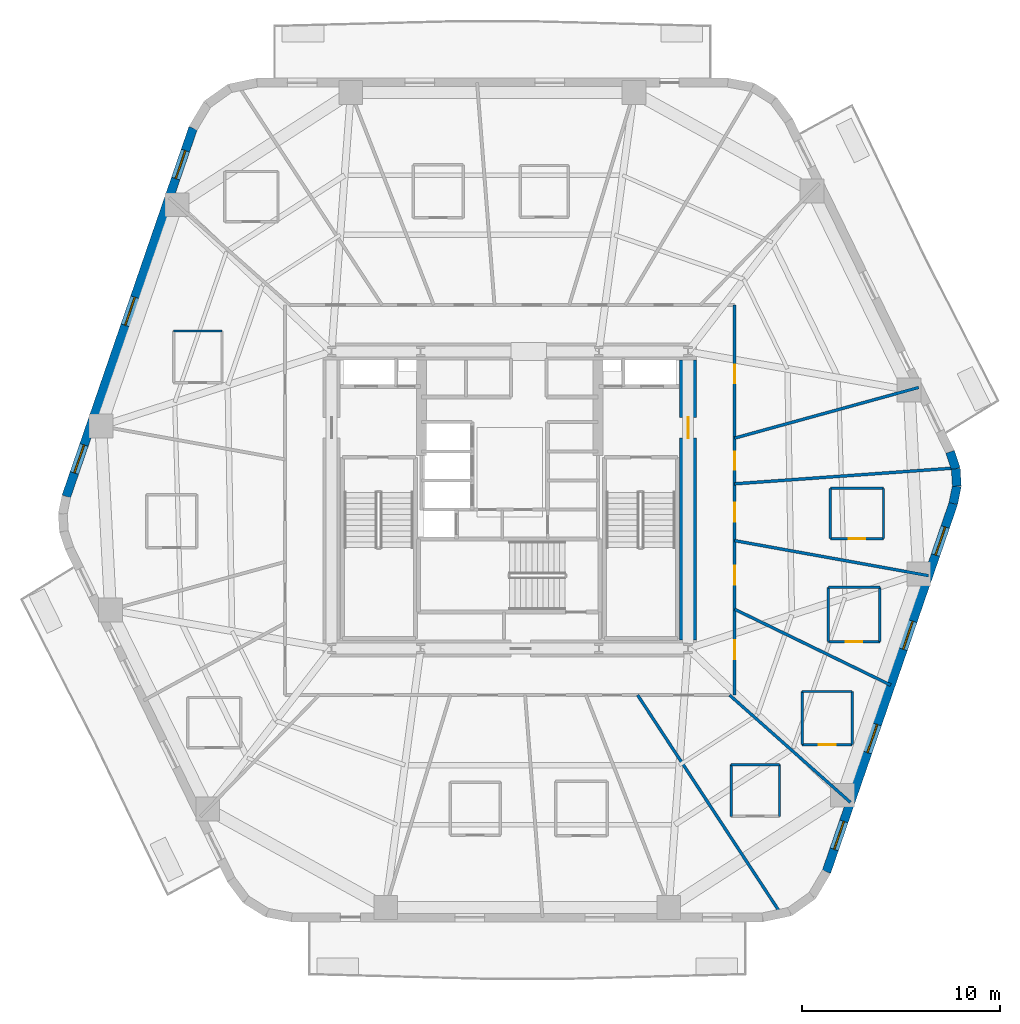
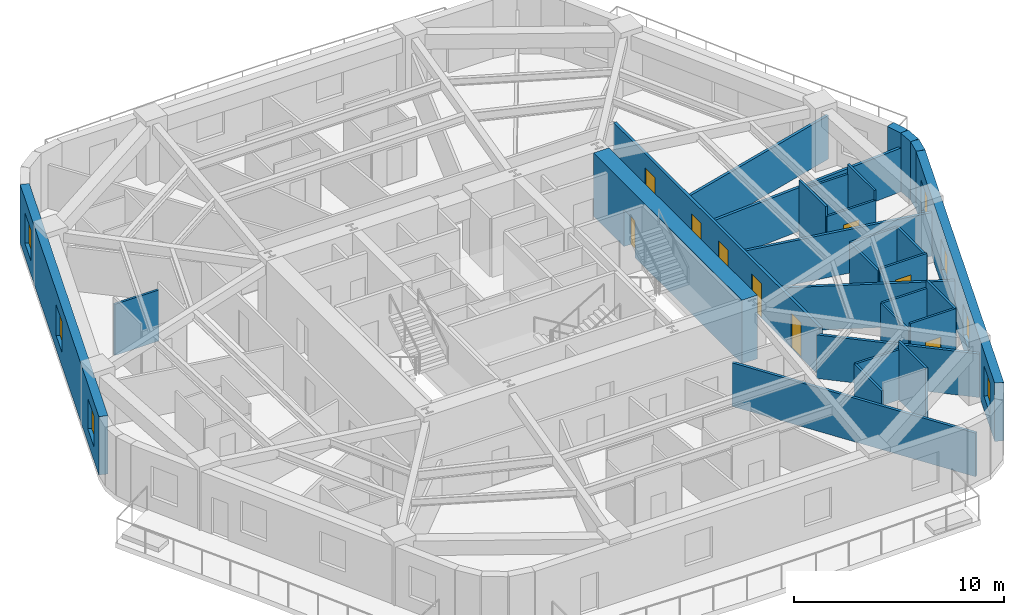
# One storey, part 5 of 10: 29 walls, 9 doors, 7 windows, 16 openings.
"""IFC4 building model written with IfcOpenShell, lengths in metres."""

from ifc_helpers import new_model, si_unit, direction, frame, frame_2d, origin, place, context, subcontext, project, spatial, rectangle, extrude, material, layer, layer_set, type_object, element, fill, save


model = new_model("IFC4")

# Units and contexts
model_context = context("Model", 3, precision=1e-05, world=origin(), true_north=direction((0.0, 1.0)))
body_context = subcontext(model_context, "Body", "Model", "MODEL_VIEW")
ifc_project = project(units=[si_unit("LENGTHUNIT", "METRE"), si_unit("AREAUNIT", "SQUARE_METRE"), si_unit("VOLUMEUNIT", "CUBIC_METRE"), si_unit("PLANEANGLEUNIT", "RADIAN"), si_unit("MASSUNIT", "GRAM", prefix="KILO")], contexts=[model_context])

# Site, building, storey
site_placement = place(None, origin())
site = spatial("IfcSite", under=ifc_project, at=site_placement, CompositionType="ELEMENT")
building_placement = place(site_placement, origin())
building = spatial("IfcBuilding", under=site, at=building_placement, Name="Kilnhurst Terrace Hotel", CompositionType="ELEMENT")
storey_placement = place(building_placement, frame((0.0, 0.0, 95.10009765625)))
storey = spatial("IfcBuildingStorey", under=building, at=storey_placement, Name="L22", CompositionType="ELEMENT", Elevation=95.10009765625)

# Walls
ifc_material_1 = material(Name="Precast concrete C40/50", Category="concrete")
ifc_layer_1 = layer(ifc_material_1, 0.449951171875, Name="Precast concrete C40/50")
ifc_layer_set_1 = layer_set([ifc_layer_1], Name="Precast concrete C40/50")
wall_type_1 = type_object("IfcWallType", Name="WL-BRK-450", PredefinedType="SOLIDWALL", material=ifc_layer_set_1)
wall_1_placement = place(storey_placement, frame((22.39697265625, -0.17919921875, 0.0), z_axis=(0.0, 0.0, 1.0), x_axis=(0.199313589404, 0.979935759669, 0.0)))
element("IfcWall", 1, at=wall_1_placement, inside=storey, type_object=wall_type_1, Name="L22 Rounded Corner Brick Wall C3.1", PredefinedType="SOLIDWALL", context=body_context, shape_type="SweptSolid", body=[
    extrude(rectangle(XDim=0.8955078125, YDim=0.449951171875, at=frame_2d((0.44775390625, 0.0))), origin(), (0.0, 0.0, 1.0), 3.39990234375),
])
wall_2_placement = place(storey_placement, frame((22.575439453125, 0.6982421875, 0.0), z_axis=(0.0, 0.0, 1.0), x_axis=(-0.060980441946, 0.998138961117, 0.0)))
element("IfcWall", 2, at=wall_2_placement, inside=storey, type_object=wall_type_1, Name="L22 Rounded Corner Brick Wall C3.2", PredefinedType="SOLIDWALL", context=body_context, shape_type="SweptSolid", body=[
    extrude(rectangle(XDim=0.880859375, YDim=0.449951171875, at=frame_2d((0.4404296875, 0.0))), origin(), (0.0, 0.0, 1.0), 3.39990234375),
])
wall_3_placement = place(storey_placement, frame((22.521728515625, 1.577392578125, 0.0), z_axis=(0.0, 0.0, 1.0), x_axis=(-0.317372694837, 0.948300887151, 0.0)))
element("IfcWall", 3, at=wall_3_placement, inside=storey, type_object=wall_type_1, Name="L22 Rounded Corner Brick Wall C3.3", PredefinedType="SOLIDWALL", context=body_context, shape_type="SweptSolid", body=[
    extrude(rectangle(XDim=0.8955078125, YDim=0.449951171875, at=frame_2d((0.44775390625, 0.0))), origin(), (0.0, 0.0, 1.0), 3.39990234375),
])

# Wall, openings, windows
wall_4_placement = place(storey_placement, frame((15.992431640625, -18.77685546875, 0.0), z_axis=(0.0, 0.0, 1.0), x_axis=(0.325606988926, 0.945505202927, 0.0)))
wall_4 = element("IfcWall", 4, at=wall_4_placement, inside=storey, type_object=wall_type_1, Name="L22 Exterior Brick Facade Wall F2", PredefinedType="SOLIDWALL", context=body_context, shape_type="SweptSolid", body=[
    extrude(rectangle(XDim=19.66943359375, YDim=0.449951171875, at=frame_2d((9.834716796875, 0.0))), origin(), (0.0, 0.0, 1.0), 3.39990234375),
])
opening_1_placement = place(wall_4_placement, frame((1.197021484375, 0.0, 0.800048828125)))
opening_1 = element("IfcOpeningElement", 5, at=opening_1_placement, cuts=wall_4, Name="Opening W-02", PredefinedType="OPENING", context=body_context, shape_type="SweptSolid", body=[
    extrude(rectangle(XDim=1.5, YDim=1.800048828125, at=frame_2d((0.75, 0.89990234375))), frame((0.0, 0.23486328125, 0.0), z_axis=(0.0, -1.0, 0.0), x_axis=(1.0, 0.0, 0.0)), (0.0, 0.0, 1.0), 0.469970703125),
])
opening_2_placement = place(wall_4_placement, frame((6.367919921875, 0.0, 0.800048828125)))
opening_2 = element("IfcOpeningElement", 6, at=opening_2_placement, cuts=wall_4, Name="Opening W-02", PredefinedType="OPENING", context=body_context, shape_type="SweptSolid", body=[
    extrude(rectangle(XDim=1.5, YDim=1.800048828125, at=frame_2d((0.75, 0.89990234375))), frame((0.0, 0.23486328125, 0.0), z_axis=(0.0, -1.0, 0.0), x_axis=(1.0, 0.0, 0.0)), (0.0, 0.0, 1.0), 0.469970703125),
])
opening_3_placement = place(wall_4_placement, frame((11.885009765625, 0.0, 0.800048828125)))
opening_3 = element("IfcOpeningElement", 7, at=opening_3_placement, cuts=wall_4, Name="Opening W-02", PredefinedType="OPENING", context=body_context, shape_type="SweptSolid", body=[
    extrude(rectangle(XDim=1.5, YDim=1.800048828125, at=frame_2d((0.75, 0.89990234375))), frame((0.0, 0.23486328125, 0.0), z_axis=(0.0, -1.0, 0.0), x_axis=(1.0, 0.0, 0.0)), (0.0, 0.0, 1.0), 0.469970703125),
])
opening_4_placement = place(wall_4_placement, frame((16.91796875, 0.0, 0.800048828125)))
opening_4 = element("IfcOpeningElement", 8, at=opening_4_placement, cuts=wall_4, Name="Opening W-02", PredefinedType="OPENING", context=body_context, shape_type="SweptSolid", body=[
    extrude(rectangle(XDim=1.5, YDim=1.800048828125, at=frame_2d((0.75, 0.89990234375))), frame((0.0, 0.23486328125, 0.0), z_axis=(0.0, -1.0, 0.0), x_axis=(1.0, 0.0, 0.0)), (0.0, 0.0, 1.0), 0.469970703125),
])
ifc_material_2 = material(Name="Thermally Broken Bronze Aluminium Alloy 6063-T6 and Low-E Glass", Category="aluminium")
window_type = type_object("IfcWindowType", Name="WIN-1500X1800", PartitioningType="SINGLE_PANEL", PredefinedType="WINDOW", material=ifc_material_2)
window_1_placement = place(opening_1_placement, origin())
window_1 = element("IfcWindow", 9, at=window_1_placement, inside=storey, type_object=window_type, Name="L22 Deep-Set Masonry Window F2.1", OverallHeight=1.800048828125, OverallWidth=1.5, PartitioningType="SINGLE_PANEL", PredefinedType="WINDOW", context=body_context, shape_type="SweptSolid", body=[
    extrude(rectangle(XDim=1.5, YDim=1.800048828125, at=frame_2d((0.75, 0.89990234375))), frame((0.0, 0.030029296875, 0.0), z_axis=(0.0, -1.0, 0.0), x_axis=(1.0, 0.0, 0.0)), (0.0, 0.0, 1.0), 0.06005859375),
])
fill(opening_1, window_1)
window_2_placement = place(opening_2_placement, origin())
window_2 = element("IfcWindow", 10, at=window_2_placement, inside=storey, type_object=window_type, Name="L22 Deep-Set Masonry Window F2.2", OverallHeight=1.800048828125, OverallWidth=1.5, PartitioningType="SINGLE_PANEL", PredefinedType="WINDOW", context=body_context, shape_type="SweptSolid", body=[
    extrude(rectangle(XDim=1.5, YDim=1.800048828125, at=frame_2d((0.75, 0.89990234375))), frame((0.0, 0.030029296875, 0.0), z_axis=(0.0, -1.0, 0.0), x_axis=(1.0, 0.0, 0.0)), (0.0, 0.0, 1.0), 0.06005859375),
])
fill(opening_2, window_2)
window_3_placement = place(opening_3_placement, origin())
window_3 = element("IfcWindow", 11, at=window_3_placement, inside=storey, type_object=window_type, Name="L22 Deep-Set Masonry Window F2.3", OverallHeight=1.800048828125, OverallWidth=1.5, PartitioningType="SINGLE_PANEL", PredefinedType="WINDOW", context=body_context, shape_type="SweptSolid", body=[
    extrude(rectangle(XDim=1.5, YDim=1.800048828125, at=frame_2d((0.75, 0.89990234375))), frame((0.0, 0.030029296875, 0.0), z_axis=(0.0, -1.0, 0.0), x_axis=(1.0, 0.0, 0.0)), (0.0, 0.0, 1.0), 0.06005859375),
])
fill(opening_3, window_3)
window_4_placement = place(opening_4_placement, origin())
window_4 = element("IfcWindow", 12, at=window_4_placement, inside=storey, type_object=window_type, Name="L22 Deep-Set Masonry Window F2.4", OverallHeight=1.800048828125, OverallWidth=1.5, PartitioningType="SINGLE_PANEL", PredefinedType="WINDOW", context=body_context, shape_type="SweptSolid", body=[
    extrude(rectangle(XDim=1.5, YDim=1.800048828125, at=frame_2d((0.75, 0.89990234375))), frame((0.0, 0.030029296875, 0.0), z_axis=(0.0, -1.0, 0.0), x_axis=(1.0, 0.0, 0.0)), (0.0, 0.0, 1.0), 0.06005859375),
])
fill(opening_4, window_4)

wall_5_placement = place(storey_placement, frame((-15.992431640625, 18.77685546875, 0.0), z_axis=(0.0, 0.0, 1.0), x_axis=(-0.325606988926, -0.945505202927, 0.0)))
wall_5 = element("IfcWall", 13, at=wall_5_placement, inside=storey, type_object=wall_type_1, Name="L22 Exterior Brick Facade Wall F5", PredefinedType="SOLIDWALL", context=body_context, shape_type="SweptSolid", body=[
    extrude(rectangle(XDim=19.66943359375, YDim=0.449951171875, at=frame_2d((9.834716796875, 0.0))), origin(), (0.0, 0.0, 1.0), 3.39990234375),
])
opening_5_placement = place(wall_5_placement, frame((1.197021484375, 0.0, 0.800048828125)))
opening_5 = element("IfcOpeningElement", 14, at=opening_5_placement, cuts=wall_5, Name="Opening W-02", PredefinedType="OPENING", context=body_context, shape_type="SweptSolid", body=[
    extrude(rectangle(XDim=1.5, YDim=1.800048828125, at=frame_2d((0.75, 0.89990234375))), frame((0.0, 0.23486328125, 0.0), z_axis=(0.0, -1.0, 0.0), x_axis=(1.0, 0.0, 0.0)), (0.0, 0.0, 1.0), 0.469970703125),
])
opening_6_placement = place(wall_5_placement, frame((9.030029296875, 0.0, 0.800048828125)))
opening_6 = element("IfcOpeningElement", 15, at=opening_6_placement, cuts=wall_5, Name="Opening W-02", PredefinedType="OPENING", context=body_context, shape_type="SweptSolid", body=[
    extrude(rectangle(XDim=1.5, YDim=1.800048828125, at=frame_2d((0.75, 0.89990234375))), frame((0.0, 0.23486328125, 0.0), z_axis=(0.0, -1.0, 0.0), x_axis=(1.0, 0.0, 0.0)), (0.0, 0.0, 1.0), 0.469970703125),
])
opening_7_placement = place(wall_5_placement, frame((16.91796875, 0.0, 0.800048828125)))
opening_7 = element("IfcOpeningElement", 16, at=opening_7_placement, cuts=wall_5, Name="Opening W-02", PredefinedType="OPENING", context=body_context, shape_type="SweptSolid", body=[
    extrude(rectangle(XDim=1.5, YDim=1.800048828125, at=frame_2d((0.75, 0.89990234375))), frame((0.0, 0.23486328125, 0.0), z_axis=(0.0, -1.0, 0.0), x_axis=(1.0, 0.0, 0.0)), (0.0, 0.0, 1.0), 0.469970703125),
])
window_5_placement = place(opening_5_placement, origin())
window_5 = element("IfcWindow", 17, at=window_5_placement, inside=storey, type_object=window_type, Name="L22 Deep-Set Masonry Window F5.1", OverallHeight=1.800048828125, OverallWidth=1.5, PartitioningType="SINGLE_PANEL", PredefinedType="WINDOW", context=body_context, shape_type="SweptSolid", body=[
    extrude(rectangle(XDim=1.5, YDim=1.800048828125, at=frame_2d((0.75, 0.89990234375))), frame((0.0, 0.030029296875, 0.0), z_axis=(0.0, -1.0, 0.0), x_axis=(1.0, 0.0, 0.0)), (0.0, 0.0, 1.0), 0.06005859375),
])
fill(opening_5, window_5)
window_6_placement = place(opening_6_placement, origin())
window_6 = element("IfcWindow", 18, at=window_6_placement, inside=storey, type_object=window_type, Name="L22 Deep-Set Masonry Window F5.2", OverallHeight=1.800048828125, OverallWidth=1.5, PartitioningType="SINGLE_PANEL", PredefinedType="WINDOW", context=body_context, shape_type="SweptSolid", body=[
    extrude(rectangle(XDim=1.5, YDim=1.800048828125, at=frame_2d((0.75, 0.89990234375))), frame((0.0, 0.030029296875, 0.0), z_axis=(0.0, -1.0, 0.0), x_axis=(1.0, 0.0, 0.0)), (0.0, 0.0, 1.0), 0.06005859375),
])
fill(opening_6, window_6)
window_7_placement = place(opening_7_placement, origin())
window_7 = element("IfcWindow", 19, at=window_7_placement, inside=storey, type_object=window_type, Name="L22 Deep-Set Masonry Window F5.3", OverallHeight=1.800048828125, OverallWidth=1.5, PartitioningType="SINGLE_PANEL", PredefinedType="WINDOW", context=body_context, shape_type="SweptSolid", body=[
    extrude(rectangle(XDim=1.5, YDim=1.800048828125, at=frame_2d((0.75, 0.89990234375))), frame((0.0, 0.030029296875, 0.0), z_axis=(0.0, -1.0, 0.0), x_axis=(1.0, 0.0, 0.0)), (0.0, 0.0, 1.0), 0.06005859375),
])
fill(opening_7, window_7)

# Wall, openings, doors
ifc_material_3 = material(Name="Acoustic Double-Gypsum Corridor Partition Assembly")
ifc_layer_2 = layer(ifc_material_3, 0.14990234375, Name="Acoustic Double-Gypsum Corridor Partition Assembly")
ifc_layer_set_2 = layer_set([ifc_layer_2], Name="Acoustic Double-Gypsum Corridor Partition Assembly")
wall_type_2 = type_object("IfcWallType", Name="WL-COR-150", PredefinedType="PARTITIONING", material=ifc_layer_set_2)
wall_6_placement = place(storey_placement, frame((11.35009765625, 9.85009765625, 0.0), z_axis=(0.0, 0.0, 1.0), x_axis=(0.0, -1.0, 0.0)))
wall_6 = element("IfcWall", 20, at=wall_6_placement, inside=storey, type_object=wall_type_2, Name="L22 Interior Wall WL-L22-COR-03", PredefinedType="PARTITIONING", context=body_context, shape_type="SweptSolid", body=[
    extrude(rectangle(XDim=19.7001953125, YDim=0.14990234375, at=frame_2d((9.85009765625, 0.0))), origin(), (0.0, 0.0, 1.0), 2.83984375),
])
opening_8_placement = place(wall_6_placement, frame((7.426025390625, 0.0, 0.0)))
opening_8 = element("IfcOpeningElement", 21, at=opening_8_placement, cuts=wall_6, Name="Opening D-60C", PredefinedType="OPENING", context=body_context, shape_type="SweptSolid", body=[
    extrude(rectangle(XDim=0.89990234375, YDim=2.030029296875, at=frame_2d((0.449951171875, 1.01513671875))), frame((0.0, 0.0849609375, 0.0), z_axis=(0.0, -1.0, 0.0), x_axis=(1.0, 0.0, 0.0)), (0.0, 0.0, 1.0), 0.169921875),
])
opening_9_placement = place(wall_6_placement, frame((3.008056640625, 0.0, 0.0)))
opening_9 = element("IfcOpeningElement", 22, at=opening_9_placement, cuts=wall_6, Name="Opening D-60B", PredefinedType="OPENING", context=body_context, shape_type="SweptSolid", body=[
    extrude(rectangle(XDim=0.949951171875, YDim=2.030029296875, at=frame_2d((0.47509765625, 1.01513671875))), frame((0.0, 0.0849609375, 0.0), z_axis=(0.0, -1.0, 0.0), x_axis=(1.0, 0.0, 0.0)), (0.0, 0.0, 1.0), 0.169921875),
])
opening_10_placement = place(wall_6_placement, frame((16.93798828125, 0.0, 0.0)))
opening_10 = element("IfcOpeningElement", 23, at=opening_10_placement, cuts=wall_6, Name="Opening D-60B", PredefinedType="OPENING", context=body_context, shape_type="SweptSolid", body=[
    extrude(rectangle(XDim=0.949951171875, YDim=2.030029296875, at=frame_2d((0.47509765625, 1.01513671875))), frame((0.0, 0.0849609375, 0.0), z_axis=(0.0, -1.0, 0.0), x_axis=(1.0, 0.0, 0.0)), (0.0, 0.0, 1.0), 0.169921875),
])
opening_11_placement = place(wall_6_placement, frame((13.1708984375, 0.0, 0.0)))
opening_11 = element("IfcOpeningElement", 24, at=opening_11_placement, cuts=wall_6, Name="Opening D-60B", PredefinedType="OPENING", context=body_context, shape_type="SweptSolid", body=[
    extrude(rectangle(XDim=0.949951171875, YDim=2.030029296875, at=frame_2d((0.47509765625, 1.01513671875))), frame((0.0, 0.0849609375, 0.0), z_axis=(0.0, -1.0, 0.0), x_axis=(1.0, 0.0, 0.0)), (0.0, 0.0, 1.0), 0.169921875),
])
opening_12_placement = place(wall_6_placement, frame((9.993896484375, 0.0, 0.0)))
opening_12 = element("IfcOpeningElement", 25, at=opening_12_placement, cuts=wall_6, Name="Opening D-60B", PredefinedType="OPENING", context=body_context, shape_type="SweptSolid", body=[
    extrude(rectangle(XDim=0.949951171875, YDim=2.030029296875, at=frame_2d((0.47509765625, 1.01513671875))), frame((0.0, 0.0849609375, 0.0), z_axis=(0.0, -1.0, 0.0), x_axis=(1.0, 0.0, 0.0)), (0.0, 0.0, 1.0), 0.169921875),
])
ifc_material_4 = material(Name="Painted Solid-Core Service Fire Door")
door_type_1 = type_object("IfcDoorType", Name="DR-FD60-900", OperationType="NOTDEFINED", PredefinedType="DOOR", material=ifc_material_4)
door_1_placement = place(opening_8_placement, origin())
door_1 = element("IfcDoor", 26, at=door_1_placement, inside=storey, type_object=door_type_1, Name="L22 Private Study Salon Door 1", OperationType="SINGLE_SWING_LEFT", OverallHeight=2.030029296875, OverallWidth=0.89990234375, PredefinedType="DOOR", context=body_context, shape_type="SweptSolid", body=[
    extrude(rectangle(XDim=0.89990234375, YDim=2.030029296875, at=frame_2d((0.449951171875, 1.01513671875))), frame((0.0, 0.02490234375, 0.0), z_axis=(0.0, -1.0, 0.0), x_axis=(1.0, 0.0, 0.0)), (0.0, 0.0, 1.0), 0.050048828125),
])
fill(opening_8, door_1)
ifc_material_5 = material(Name="Acoustic Walnut Veneer Solid-Core Fire Door")
door_type_2 = type_object("IfcDoorType", Name="DR-FD60-950", OperationType="NOTDEFINED", PredefinedType="DOOR", material=ifc_material_5)
door_2_placement = place(opening_9_placement, origin())
door_2 = element("IfcDoor", 27, at=door_2_placement, inside=storey, type_object=door_type_2, Name="L22 Botanical Salon Lounge Door", OperationType="SINGLE_SWING_RIGHT", OverallHeight=2.030029296875, OverallWidth=0.949951171875, PredefinedType="DOOR", context=body_context, shape_type="SweptSolid", body=[
    extrude(rectangle(XDim=0.949951171875, YDim=2.030029296875, at=frame_2d((0.47509765625, 1.01513671875))), frame((0.0, 0.02490234375, 0.0), z_axis=(0.0, -1.0, 0.0), x_axis=(1.0, 0.0, 0.0)), (0.0, 0.0, 1.0), 0.050048828125),
])
fill(opening_9, door_2)
door_3_placement = place(opening_10_placement, origin())
door_3 = element("IfcDoor", 28, at=door_3_placement, inside=storey, type_object=door_type_2, Name="L22 Guest Room Entry Door 18", OperationType="SINGLE_SWING_RIGHT", OverallHeight=2.030029296875, OverallWidth=0.949951171875, PredefinedType="DOOR", context=body_context, shape_type="SweptSolid", body=[
    extrude(rectangle(XDim=0.949951171875, YDim=2.030029296875, at=frame_2d((0.47509765625, 1.01513671875))), frame((0.0, 0.02490234375, 0.0), z_axis=(0.0, -1.0, 0.0), x_axis=(1.0, 0.0, 0.0)), (0.0, 0.0, 1.0), 0.050048828125),
])
fill(opening_10, door_3)
door_4_placement = place(opening_11_placement, origin())
door_4 = element("IfcDoor", 29, at=door_4_placement, inside=storey, type_object=door_type_2, Name="L22 Guest Room Entry Door 19", OperationType="SINGLE_SWING_LEFT", OverallHeight=2.030029296875, OverallWidth=0.949951171875, PredefinedType="DOOR", context=body_context, shape_type="SweptSolid", body=[
    extrude(rectangle(XDim=0.949951171875, YDim=2.030029296875, at=frame_2d((0.47509765625, 1.01513671875))), frame((0.0, 0.02490234375, 0.0), z_axis=(0.0, -1.0, 0.0), x_axis=(1.0, 0.0, 0.0)), (0.0, 0.0, 1.0), 0.050048828125),
])
fill(opening_11, door_4)
door_5_placement = place(opening_12_placement, origin())
door_5 = element("IfcDoor", 30, at=door_5_placement, inside=storey, type_object=door_type_2, Name="L22 Guest Room Entry Door 20", OperationType="SINGLE_SWING_RIGHT", OverallHeight=2.030029296875, OverallWidth=0.949951171875, PredefinedType="DOOR", context=body_context, shape_type="SweptSolid", body=[
    extrude(rectangle(XDim=0.949951171875, YDim=2.030029296875, at=frame_2d((0.47509765625, 1.01513671875))), frame((0.0, 0.02490234375, 0.0), z_axis=(0.0, -1.0, 0.0), x_axis=(1.0, 0.0, 0.0)), (0.0, 0.0, 1.0), 0.050048828125),
])
fill(opening_12, door_5)

# Wall, opening, door
ifc_material_6 = material(Name="Concrete C80/95", Category="concrete")
ifc_layer_3 = layer(ifc_material_6, 0.85009765625, Name="Concrete C80/95")
ifc_layer_set_3 = layer_set([ifc_layer_3], Name="Concrete C80/95")
wall_type_3 = type_object("IfcWallType", Name="WL-CORE-850", PredefinedType="SHEAR", material=ifc_layer_set_3)
wall_7_placement = place(storey_placement, frame((9.0, -7.074951171875, 0.0), z_axis=(0.0, 0.0, 1.0), x_axis=(0.0, 1.0, 0.0)))
wall_7 = element("IfcWall", 31, at=wall_7_placement, inside=storey, type_object=wall_type_3, Name="L22 Core East Shear Wall", PredefinedType="SHEAR", context=body_context, shape_type="SweptSolid", body=[
    extrude(rectangle(XDim=14.14990234375, YDim=0.85009765625, at=frame_2d((7.074951171875, 0.0))), origin(), (0.0, 0.0, 1.0), 3.699951171875),
])
opening_13_placement = place(wall_7_placement, frame((10.199951171875, 0.0, 0.0)))
opening_13 = element("IfcOpeningElement", 32, at=opening_13_placement, cuts=wall_7, Name="Opening D-90A", PredefinedType="OPENING", context=body_context, shape_type="SweptSolid", body=[
    extrude(rectangle(XDim=1.050048828125, YDim=2.14990234375, at=frame_2d((0.52490234375, 1.074951171875))), frame((0.0, 0.43505859375, 0.0), z_axis=(0.0, -1.0, 0.0), x_axis=(1.0, 0.0, 0.0)), (0.0, 0.0, 1.0), 0.8701171875),
])
ifc_material_7 = material(Name="Painted Hollow Metal Steel ASTM A36 Fire Door", Category="steel")
door_type_3 = type_object("IfcDoorType", Name="DR-FD90-1050", OperationType="NOTDEFINED", PredefinedType="DOOR", material=ifc_material_7)
door_6_placement = place(opening_13_placement, origin())
door_6 = element("IfcDoor", 33, at=door_6_placement, inside=storey, type_object=door_type_3, Name="L22 East Firefighting Lobby Door", OperationType="SINGLE_SWING_LEFT", OverallHeight=2.14990234375, OverallWidth=1.050048828125, PredefinedType="DOOR", context=body_context, shape_type="SweptSolid", body=[
    extrude(rectangle(XDim=1.050048828125, YDim=2.14990234375, at=frame_2d((0.52490234375, 1.074951171875))), frame((0.0, 0.02490234375, 0.0), z_axis=(0.0, -1.0, 0.0), x_axis=(1.0, 0.0, 0.0)), (0.0, 0.0, 1.0), 0.050048828125),
])
fill(opening_13, door_6)

# Walls
ifc_material_8 = material(Name="STC-58 Acoustic Twin-Frame Guestroom Demising Partition")
ifc_layer_4 = layer(ifc_material_8, 0.14990234375, Name="STC-58 Acoustic Twin-Frame Guestroom Demising Partition")
ifc_layer_set_4 = layer_set([ifc_layer_4], Name="STC-58 Acoustic Twin-Frame Guestroom Demising Partition")
wall_type_4 = type_object("IfcWallType", Name="WL-DEM-150", PredefinedType="PARTITIONING", material=ifc_layer_set_4)
wall_8_placement = place(storey_placement, frame((11.35009765625, 0.815673828125, 0.0), z_axis=(0.0, 0.0, 1.0), x_axis=(0.997427684746, 0.071679939324, 0.0)))
element("IfcWall", 34, at=wall_8_placement, inside=storey, type_object=wall_type_4, Name="L22 Interior Wall WL-L22-DEM-MID12-01-1", PredefinedType="PARTITIONING", context=body_context, shape_type="SweptSolid", body=[
    extrude(rectangle(XDim=11.021728515625, YDim=0.14990234375, at=frame_2d((5.5107421875, 0.0))), origin(), (0.0, 0.0, 1.0), 2.539794921875),
])
wall_9_placement = place(storey_placement, frame((11.35009765625, 3.123291015625, 0.0), z_axis=(0.0, 0.0, 1.0), x_axis=(0.964151983214, 0.265350623261, 0.0)))
element("IfcWall", 35, at=wall_9_placement, inside=storey, type_object=wall_type_4, Name="L22 Interior Wall WL-L22-DEM-COL01-02-1", PredefinedType="PARTITIONING", context=body_context, shape_type="SweptSolid", body=[
    extrude(rectangle(XDim=9.64501953125, YDim=0.14990234375, at=frame_2d((4.822509765625, 0.0))), origin(), (0.0, 0.0, 1.0), 2.539794921875),
])
wall_10_placement = place(storey_placement, frame((6.453857421875, -9.85009765625, 0.0), z_axis=(0.0, 0.0, 1.0), x_axis=(0.548052950111, -0.836443640584, 0.0)))
element("IfcWall", 36, at=wall_10_placement, inside=storey, type_object=wall_type_4, Name="L22 Interior Wall WL-L22-DEM-MID10-17-1", PredefinedType="PARTITIONING", context=body_context, shape_type="SweptSolid", body=[
    extrude(rectangle(XDim=13.019287109375, YDim=0.14990234375, at=frame_2d((6.509765625, 0.0))), origin(), (0.0, 0.0, 1.0), 2.539794921875),
])
wall_11_placement = place(storey_placement, frame((11.097900390625, -9.85009765625, 0.0), z_axis=(0.0, 0.0, 1.0), x_axis=(0.747904295103, -0.663806572253, 0.0)))
element("IfcWall", 37, at=wall_11_placement, inside=storey, type_object=wall_type_4, Name="L22 Interior Wall WL-L22-DEM-COL11-18-1", PredefinedType="PARTITIONING", context=body_context, shape_type="SweptSolid", body=[
    extrude(rectangle(XDim=8.160400390625, YDim=0.14990234375, at=frame_2d((4.080078125, 0.0))), origin(), (0.0, 0.0, 1.0), 2.539794921875),
])
wall_12_placement = place(storey_placement, frame((11.35009765625, -5.51513671875, 0.0), z_axis=(0.0, 0.0, 1.0), x_axis=(0.899424695618, -0.437075756492, 0.0)))
element("IfcWall", 38, at=wall_12_placement, inside=storey, type_object=wall_type_4, Name="L22 Interior Wall WL-L22-DEM-MID11-19-1", PredefinedType="PARTITIONING", context=body_context, shape_type="SweptSolid", body=[
    extrude(rectangle(XDim=8.771240234375, YDim=0.14990234375, at=frame_2d((4.3857421875, 0.0))), origin(), (0.0, 0.0, 1.0), 2.539794921875),
])
wall_13_placement = place(storey_placement, frame((11.35009765625, -2.05078125, 0.0), z_axis=(0.0, 0.0, 1.0), x_axis=(0.984068313063, -0.177790762484, 0.0)))
element("IfcWall", 39, at=wall_13_placement, inside=storey, type_object=wall_type_4, Name="L22 Interior Wall WL-L22-DEM-COL12-20-1", PredefinedType="PARTITIONING", context=body_context, shape_type="SweptSolid", body=[
    extrude(rectangle(XDim=9.951416015625, YDim=0.14990234375, at=frame_2d((4.9755859375, 0.0))), origin(), (0.0, 0.0, 1.0), 2.539794921875),
])
ifc_material_9 = material(Name="120 mm Moisture-Resistant Tile-Backed Bathroom Partition")
ifc_layer_5 = layer(ifc_material_9, 0.1201171875, Name="120 mm Moisture-Resistant Tile-Backed Bathroom Partition")
ifc_layer_set_5 = layer_set([ifc_layer_5], Name="120 mm Moisture-Resistant Tile-Backed Bathroom Partition")
wall_type_5 = type_object("IfcWallType", Name="WL-PART-120", PredefinedType="PARTITIONING", material=ifc_layer_set_5)
wall_14_placement = place(storey_placement, frame((-14.533935546875, 8.534912109375, 0.0), z_axis=(0.0, 0.0, 1.0), x_axis=(-1.0, 0.0, 0.0)))
element("IfcWall", 40, at=wall_14_placement, inside=storey, type_object=wall_type_5, Name="L22 Interior Wall WL-L22-BTH-09-3", PredefinedType="PARTITIONING", context=body_context, shape_type="SweptSolid", body=[
    extrude(rectangle(XDim=2.440185546875, YDim=0.1201171875, at=frame_2d((1.22021484375, 0.0))), origin(), (0.0, 0.0, 1.0), 2.97216796875),
])
wall_15_placement = place(storey_placement, frame((13.617919921875, -15.97412109375, 0.0), z_axis=(0.0, 0.0, 1.0), x_axis=(0.0, 1.0, 0.0)))
element("IfcWall", 41, at=wall_15_placement, inside=storey, type_object=wall_type_5, Name="L22 Interior Wall WL-L22-BTH-17-2", PredefinedType="PARTITIONING", context=body_context, shape_type="SweptSolid", body=[
    extrude(rectangle(XDim=2.610107421875, YDim=0.1201171875, at=frame_2d((1.30517578125, 0.0))), origin(), (0.0, 0.0, 1.0), 3.39990234375),
])
wall_16_placement = place(storey_placement, frame((13.617919921875, -13.364013671875, 0.0), z_axis=(0.0, 0.0, 1.0), x_axis=(-1.0, 0.0, 0.0)))
element("IfcWall", 42, at=wall_16_placement, inside=storey, type_object=wall_type_5, Name="L22 Interior Wall WL-L22-BTH-17-3", PredefinedType="PARTITIONING", context=body_context, shape_type="SweptSolid", body=[
    extrude(rectangle(XDim=2.43994140625, YDim=0.1201171875, at=frame_2d((1.219970703125, 0.0))), origin(), (0.0, 0.0, 1.0), 2.926513671875),
])
wall_17_placement = place(storey_placement, frame((11.177978515625, -13.364013671875, 0.0), z_axis=(0.0, 0.0, 1.0), x_axis=(0.0, -1.0, 0.0)))
element("IfcWall", 43, at=wall_17_placement, inside=storey, type_object=wall_type_5, Name="L22 Interior Wall WL-L22-BTH-17-4", PredefinedType="PARTITIONING", context=body_context, shape_type="SweptSolid", body=[
    extrude(rectangle(XDim=2.610107421875, YDim=0.1201171875, at=frame_2d((1.30517578125, 0.0))), origin(), (0.0, 0.0, 1.0), 2.926513671875),
])

# Wall, opening, door
wall_18_placement = place(storey_placement, frame((14.76708984375, -12.35205078125, 0.0), z_axis=(0.0, 0.0, 1.0), x_axis=(1.0, 0.0, 0.0)))
wall_18 = element("IfcWall", 44, at=wall_18_placement, inside=storey, type_object=wall_type_5, Name="L22 Interior Wall WL-L22-BTH-18-1", PredefinedType="PARTITIONING", context=body_context, shape_type="SweptSolid", body=[
    extrude(rectangle(XDim=2.52001953125, YDim=0.1201171875, at=frame_2d((1.260009765625, 0.0))), origin(), (0.0, 0.0, 1.0), 3.39990234375),
])
opening_14_placement = place(wall_18_placement, frame((0.8349609375, 0.0, 0.0)))
opening_14 = element("IfcOpeningElement", 45, at=opening_14_placement, cuts=wall_18, Name="Opening D-08A", PredefinedType="OPENING", context=body_context, shape_type="SweptSolid", body=[
    extrude(rectangle(XDim=0.85009765625, YDim=2.030029296875, at=frame_2d((0.425048828125, 1.01513671875))), frame((0.0, 0.070068359375, 0.0), z_axis=(0.0, -1.0, 0.0), x_axis=(1.0, 0.0, 0.0)), (0.0, 0.0, 1.0), 0.14013671875),
])
ifc_material_10 = material(Name="Moisture-Resistant Lacquered En-suite Bathroom Door")
door_type_4 = type_object("IfcDoorType", Name="DR-INT-850", OperationType="NOTDEFINED", PredefinedType="DOOR", material=ifc_material_10)
door_7_placement = place(opening_14_placement, origin())
door_7 = element("IfcDoor", 46, at=door_7_placement, inside=storey, type_object=door_type_4, Name="L22 En-suite Bathroom Door 18", OperationType="SINGLE_SWING_LEFT", OverallHeight=2.030029296875, OverallWidth=0.85009765625, PredefinedType="DOOR", context=body_context, shape_type="SweptSolid", body=[
    extrude(rectangle(XDim=0.85009765625, YDim=2.030029296875, at=frame_2d((0.425048828125, 1.01513671875))), frame((0.0, 0.02490234375, 0.0), z_axis=(0.0, -1.0, 0.0), x_axis=(1.0, 0.0, 0.0)), (0.0, 0.0, 1.0), 0.050048828125),
])
fill(opening_14, door_7)

# Walls
wall_19_placement = place(storey_placement, frame((17.287109375, -12.35205078125, 0.0), z_axis=(0.0, 0.0, 1.0), x_axis=(0.0, 1.0, 0.0)))
element("IfcWall", 47, at=wall_19_placement, inside=storey, type_object=wall_type_5, Name="L22 Interior Wall WL-L22-BTH-18-2", PredefinedType="PARTITIONING", context=body_context, shape_type="SweptSolid", body=[
    extrude(rectangle(XDim=2.679931640625, YDim=0.1201171875, at=frame_2d((1.33984375, 0.0))), origin(), (0.0, 0.0, 1.0), 3.39990234375),
])
wall_20_placement = place(storey_placement, frame((17.287109375, -9.672119140625, 0.0), z_axis=(0.0, 0.0, 1.0), x_axis=(-1.0, 0.0, 0.0)))
element("IfcWall", 48, at=wall_20_placement, inside=storey, type_object=wall_type_5, Name="L22 Interior Wall WL-L22-BTH-18-3", PredefinedType="PARTITIONING", context=body_context, shape_type="SweptSolid", body=[
    extrude(rectangle(XDim=2.52001953125, YDim=0.1201171875, at=frame_2d((1.260009765625, 0.0))), origin(), (0.0, 0.0, 1.0), 2.97216796875),
])
wall_21_placement = place(storey_placement, frame((14.76708984375, -9.672119140625, 0.0), z_axis=(0.0, 0.0, 1.0), x_axis=(0.0, -1.0, 0.0)))
element("IfcWall", 49, at=wall_21_placement, inside=storey, type_object=wall_type_5, Name="L22 Interior Wall WL-L22-BTH-18-4", PredefinedType="PARTITIONING", context=body_context, shape_type="SweptSolid", body=[
    extrude(rectangle(XDim=2.679931640625, YDim=0.1201171875, at=frame_2d((1.33984375, 0.0))), origin(), (0.0, 0.0, 1.0), 2.97216796875),
])

# Wall, opening, door
wall_22_placement = place(storey_placement, frame((16.0869140625, -7.157958984375, 0.0), z_axis=(0.0, 0.0, 1.0), x_axis=(1.0, 0.0, 0.0)))
wall_22 = element("IfcWall", 50, at=wall_22_placement, inside=storey, type_object=wall_type_5, Name="L22 Interior Wall WL-L22-BTH-19-1", PredefinedType="PARTITIONING", context=body_context, shape_type="SweptSolid", body=[
    extrude(rectangle(XDim=2.60009765625, YDim=0.1201171875, at=frame_2d((1.300048828125, 0.0))), origin(), (0.0, 0.0, 1.0), 2.97216796875),
])
opening_15_placement = place(wall_22_placement, frame((0.875, 0.0, 0.0)))
opening_15 = element("IfcOpeningElement", 51, at=opening_15_placement, cuts=wall_22, Name="Opening D-08A", PredefinedType="OPENING", context=body_context, shape_type="SweptSolid", body=[
    extrude(rectangle(XDim=0.85009765625, YDim=2.030029296875, at=frame_2d((0.425048828125, 1.01513671875))), frame((0.0, 0.070068359375, 0.0), z_axis=(0.0, -1.0, 0.0), x_axis=(1.0, 0.0, 0.0)), (0.0, 0.0, 1.0), 0.14013671875),
])
door_8_placement = place(opening_15_placement, origin())
door_8 = element("IfcDoor", 52, at=door_8_placement, inside=storey, type_object=door_type_4, Name="L22 En-suite Bathroom Door 19", OperationType="SINGLE_SWING_RIGHT", OverallHeight=2.030029296875, OverallWidth=0.85009765625, PredefinedType="DOOR", context=body_context, shape_type="SweptSolid", body=[
    extrude(rectangle(XDim=0.85009765625, YDim=2.030029296875, at=frame_2d((0.425048828125, 1.01513671875))), frame((0.0, 0.02490234375, 0.0), z_axis=(0.0, -1.0, 0.0), x_axis=(1.0, 0.0, 0.0)), (0.0, 0.0, 1.0), 0.050048828125),
])
fill(opening_15, door_8)

# Walls
wall_23_placement = place(storey_placement, frame((18.68701171875, -7.157958984375, 0.0), z_axis=(0.0, 0.0, 1.0), x_axis=(0.0, 1.0, 0.0)))
element("IfcWall", 53, at=wall_23_placement, inside=storey, type_object=wall_type_5, Name="L22 Interior Wall WL-L22-BTH-19-2", PredefinedType="PARTITIONING", context=body_context, shape_type="SweptSolid", body=[
    extrude(rectangle(XDim=2.75, YDim=0.1201171875, at=frame_2d((1.375, 0.0))), origin(), (0.0, 0.0, 1.0), 2.83984375),
])
wall_24_placement = place(storey_placement, frame((18.68701171875, -4.407958984375, 0.0), z_axis=(0.0, 0.0, 1.0), x_axis=(-1.0, 0.0, 0.0)))
element("IfcWall", 54, at=wall_24_placement, inside=storey, type_object=wall_type_5, Name="L22 Interior Wall WL-L22-BTH-19-3", PredefinedType="PARTITIONING", context=body_context, shape_type="SweptSolid", body=[
    extrude(rectangle(XDim=2.60009765625, YDim=0.1201171875, at=frame_2d((1.300048828125, 0.0))), origin(), (0.0, 0.0, 1.0), 2.83984375),
])
wall_25_placement = place(storey_placement, frame((16.0869140625, -4.407958984375, 0.0), z_axis=(0.0, 0.0, 1.0), x_axis=(0.0, -1.0, 0.0)))
element("IfcWall", 55, at=wall_25_placement, inside=storey, type_object=wall_type_5, Name="L22 Interior Wall WL-L22-BTH-19-4", PredefinedType="PARTITIONING", context=body_context, shape_type="SweptSolid", body=[
    extrude(rectangle(XDim=2.75, YDim=0.1201171875, at=frame_2d((1.375, 0.0))), origin(), (0.0, 0.0, 1.0), 2.83984375),
])

# Wall, opening, door
wall_26_placement = place(storey_placement, frame((16.19189453125, -1.950927734375, 0.0), z_axis=(0.0, 0.0, 1.0), x_axis=(1.0, 0.0, 0.0)))
wall_26 = element("IfcWall", 56, at=wall_26_placement, inside=storey, type_object=wall_type_5, Name="L22 Interior Wall WL-L22-BTH-20-1", PredefinedType="PARTITIONING", context=body_context, shape_type="SweptSolid", body=[
    extrude(rectangle(XDim=2.68017578125, YDim=0.1201171875, at=frame_2d((1.340087890625, 0.0))), origin(), (0.0, 0.0, 1.0), 2.84033203125),
])
opening_16_placement = place(wall_26_placement, frame((0.9150390625, 0.0, 0.0)))
opening_16 = element("IfcOpeningElement", 57, at=opening_16_placement, cuts=wall_26, Name="Opening D-08A", PredefinedType="OPENING", context=body_context, shape_type="SweptSolid", body=[
    extrude(rectangle(XDim=0.85009765625, YDim=2.030029296875, at=frame_2d((0.425048828125, 1.01513671875))), frame((0.0, 0.070068359375, 0.0), z_axis=(0.0, -1.0, 0.0), x_axis=(1.0, 0.0, 0.0)), (0.0, 0.0, 1.0), 0.14013671875),
])
door_9_placement = place(opening_16_placement, origin())
door_9 = element("IfcDoor", 58, at=door_9_placement, inside=storey, type_object=door_type_4, Name="L22 En-suite Bathroom Door 20", OperationType="SINGLE_SWING_LEFT", OverallHeight=2.030029296875, OverallWidth=0.85009765625, PredefinedType="DOOR", context=body_context, shape_type="SweptSolid", body=[
    extrude(rectangle(XDim=0.85009765625, YDim=2.030029296875, at=frame_2d((0.425048828125, 1.01513671875))), frame((0.0, 0.02490234375, 0.0), z_axis=(0.0, -1.0, 0.0), x_axis=(1.0, 0.0, 0.0)), (0.0, 0.0, 1.0), 0.050048828125),
])
fill(opening_16, door_9)

# Walls
wall_27_placement = place(storey_placement, frame((18.8720703125, -1.950927734375, 0.0), z_axis=(0.0, 0.0, 1.0), x_axis=(0.0, 1.0, 0.0)))
element("IfcWall", 59, at=wall_27_placement, inside=storey, type_object=wall_type_5, Name="L22 Interior Wall WL-L22-BTH-20-2", PredefinedType="PARTITIONING", context=body_context, shape_type="SweptSolid", body=[
    extrude(rectangle(XDim=2.5400390625, YDim=0.1201171875, at=frame_2d((1.27001953125, 0.0))), origin(), (0.0, 0.0, 1.0), 3.39990234375),
])
wall_28_placement = place(storey_placement, frame((18.8720703125, 0.589111328125, 0.0), z_axis=(0.0, 0.0, 1.0), x_axis=(-1.0, 0.0, 0.0)))
element("IfcWall", 60, at=wall_28_placement, inside=storey, type_object=wall_type_5, Name="L22 Interior Wall WL-L22-BTH-20-3", PredefinedType="PARTITIONING", context=body_context, shape_type="SweptSolid", body=[
    extrude(rectangle(XDim=2.68017578125, YDim=0.1201171875, at=frame_2d((1.340087890625, 0.0))), origin(), (0.0, 0.0, 1.0), 2.84033203125),
])
wall_29_placement = place(storey_placement, frame((16.19189453125, 0.589111328125, 0.0), z_axis=(0.0, 0.0, 1.0), x_axis=(0.0, -1.0, 0.0)))
element("IfcWall", 61, at=wall_29_placement, inside=storey, type_object=wall_type_5, Name="L22 Interior Wall WL-L22-BTH-20-4", PredefinedType="PARTITIONING", context=body_context, shape_type="SweptSolid", body=[
    extrude(rectangle(XDim=2.5400390625, YDim=0.1201171875, at=frame_2d((1.27001953125, 0.0))), origin(), (0.0, 0.0, 1.0), 3.39990234375),
])

save(model, "model.ifc")
